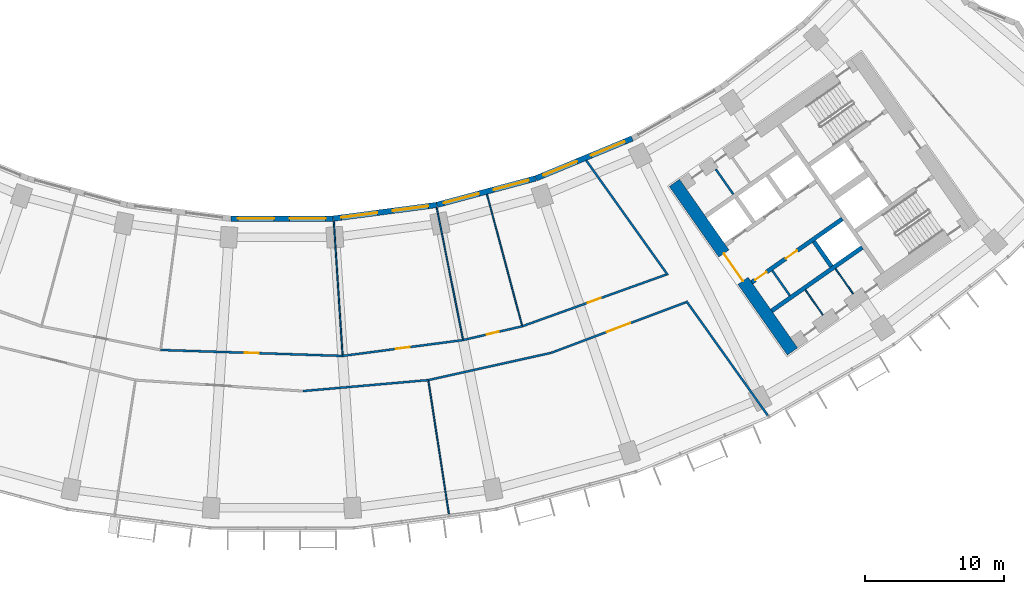
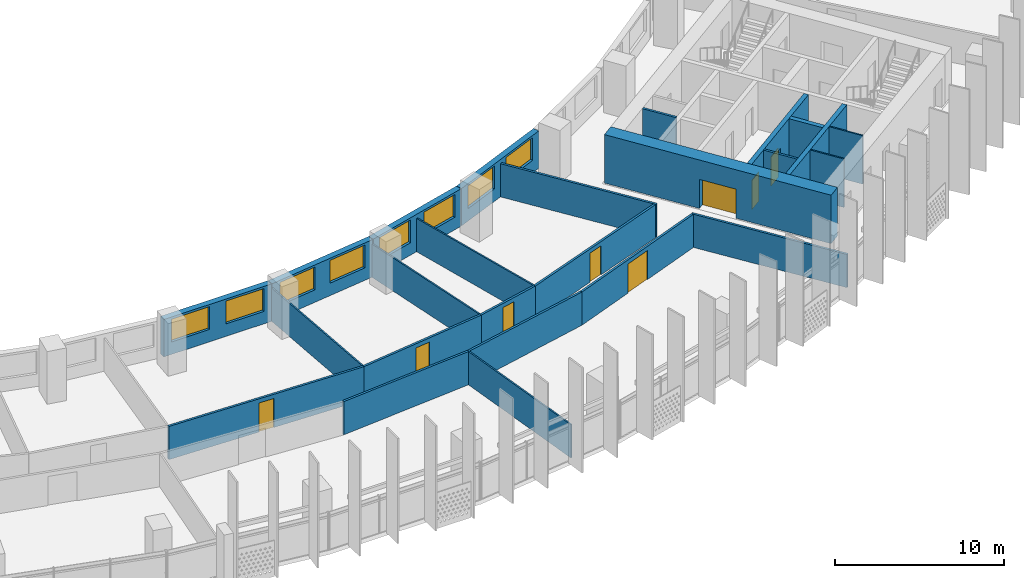
# One storey, part 6 of 30: 25 walls, 8 doors, 8 windows, 16 openings.
"""IFC4 building model written with IfcOpenShell, lengths in metres."""

from ifc_helpers import new_model, si_unit, direction, frame, frame_2d, origin, place, context, subcontext, project, spatial, rectangle, extrude, material, layer, layer_set, type_object, element, fill, save


model = new_model("IFC4")

# Units and contexts
model_context = context("Model", 3, precision=1e-05, world=origin(), true_north=direction((0.0, 1.0)))
body_context = subcontext(model_context, "Body", "Model", "MODEL_VIEW")
ifc_project = project(units=[si_unit("LENGTHUNIT", "METRE"), si_unit("AREAUNIT", "SQUARE_METRE"), si_unit("VOLUMEUNIT", "CUBIC_METRE"), si_unit("PLANEANGLEUNIT", "RADIAN"), si_unit("MASSUNIT", "GRAM", prefix="KILO")], contexts=[model_context])

# Site, building, storey
site_placement = place(None, origin())
site = spatial("IfcSite", under=ifc_project, at=site_placement, CompositionType="ELEMENT")
building_placement = place(site_placement, origin())
building = spatial("IfcBuilding", under=site, at=building_placement, Name="Qamariyya Broadcast Tower", CompositionType="ELEMENT")
storey_placement = place(building_placement, frame((0.0, 0.0, 102.5)))
storey = spatial("IfcBuildingStorey", under=building, at=storey_placement, Name="L22", CompositionType="ELEMENT", Elevation=102.5)

# Wall, opening, door
ifc_material_1 = material(Name="Concrete C70/85", Category="concrete")
ifc_layer_1 = layer(ifc_material_1, 0.89990234375)
ifc_layer_set_1 = layer_set([ifc_layer_1], Name="Core wall 900 mm Concrete C70/85")
wall_type_1 = type_object("IfcWallType", Name="Core wall 900 mm Concrete C70/85", PredefinedType="SHEAR", material=ifc_layer_set_1)
wall_1_placement = place(storey_placement, frame((36.716796875, -66.3369140625, 0.0), z_axis=(0.0, 0.0, 1.0), x_axis=(-0.573577477574, 0.819151315216, 0.0)))
wall_1 = element("IfcWall", 1, at=wall_1_placement, inside=storey, type_object=wall_type_1, Name="k-E-L22-WA", PredefinedType="SHEAR", context=body_context, shape_type="SweptSolid", body=[
    extrude(rectangle(XDim=14.800048828125, YDim=0.89990234375, at=frame_2d((7.39990234375, 0.0))), origin(), (0.0, 0.0, 1.0), 3.5),
])
opening_1_placement = place(wall_1_placement, frame((6.199951171875, 0.0, 0.0)))
opening_1 = element("IfcOpeningElement", 2, at=opening_1_placement, cuts=wall_1, Name="Opening KD3-E1", PredefinedType="OPENING", context=body_context, shape_type="SweptSolid", body=[
    extrude(rectangle(XDim=2.39990234375, YDim=2.10009765625, at=frame_2d((1.199951171875, 1.050048828125))), frame((0.0, 0.4599609375, 0.0), z_axis=(0.0, -1.0, 0.0), x_axis=(1.0, 0.0, 0.0)), (0.0, 0.0, 1.0), 0.919921875),
])
ifc_material_2 = material(Name="Steel fire-resisting door leaf", Category="steel")
door_type_1 = type_object("IfcDoorType", Name="Lift lobby door KD3", OperationType="DOUBLE_DOOR_SINGLE_SWING", PredefinedType="DOOR", material=ifc_material_2)
door_1_placement = place(opening_1_placement, origin())
door_1 = element("IfcDoor", 3, at=door_1_placement, inside=storey, type_object=door_type_1, Name="k-E-L22-WA-D1", OperationType="DOUBLE_DOOR_SINGLE_SWING", OverallHeight=2.10009765625, OverallWidth=2.39990234375, PredefinedType="DOOR", context=body_context, shape_type="SweptSolid", body=[
    extrude(rectangle(XDim=2.39990234375, YDim=2.10009765625, at=frame_2d((1.199951171875, 1.050048828125))), frame((0.0, 0.02490234375, 0.0), z_axis=(0.0, -1.0, 0.0), x_axis=(1.0, 0.0, 0.0)), (0.0, 0.0, 1.0), 0.050048828125),
])
fill(opening_1, door_1)

ifc_material_3 = material(Name="Gypsum board partition")
ifc_layer_2 = layer(ifc_material_3, 0.14990234375)
ifc_layer_set_2 = layer_set([ifc_layer_2], Name="Corridor partition 150 EI 60")
wall_type_2 = type_object("IfcWallType", Name="Corridor partition 150 EI 60", PredefinedType="PARTITIONING", material=ifc_layer_set_2)
wall_2_placement = place(storey_placement, frame((-8.71923828125, -66.228515625, 0.0), z_axis=(0.0, 0.0, 1.0), x_axis=(0.999464573422, -0.032719512141, 0.0)))
wall_2 = element("IfcWall", 4, at=wall_2_placement, inside=storey, type_object=wall_type_2, Name="Partition L22-012", PredefinedType="PARTITIONING", context=body_context, shape_type="SweptSolid", body=[
    extrude(rectangle(XDim=13.09521484375, YDim=0.14990234375, at=frame_2d((6.547607421875, 0.0))), origin(), (0.0, 0.0, 1.0), 2.39990234375),
])
opening_2_placement = place(wall_2_placement, frame((6.047607421875, 0.0, 0.0)))
opening_2 = element("IfcOpeningElement", 5, at=opening_2_placement, cuts=wall_2, Name="Opening L22-D07", PredefinedType="OPENING", context=body_context, shape_type="SweptSolid", body=[
    extrude(rectangle(XDim=1.0, YDim=2.10009765625, at=frame_2d((0.5, 1.050048828125))), frame((0.0, 0.0849609375, 0.0), z_axis=(0.0, -1.0, 0.0), x_axis=(1.0, 0.0, 0.0)), (0.0, 0.0, 1.0), 0.169921875),
])
ifc_material_4 = material(Name="Timber fire door leaf", Category="wood")
door_type_2 = type_object("IfcDoorType", Name="Fire door 1000 x 2100 FD60", OperationType="NOTDEFINED", PredefinedType="DOOR", material=ifc_material_4)
door_2_placement = place(opening_2_placement, origin())
door_2 = element("IfcDoor", 6, at=door_2_placement, inside=storey, type_object=door_type_2, Name="Door L22-D07", OperationType="SINGLE_SWING_RIGHT", OverallHeight=2.10009765625, OverallWidth=1.0, PredefinedType="DOOR", context=body_context, shape_type="SweptSolid", body=[
    extrude(rectangle(XDim=1.0, YDim=2.10009765625, at=frame_2d((0.5, 1.050048828125))), frame((0.0, 0.02490234375, 0.0), z_axis=(0.0, -1.0, 0.0), x_axis=(1.0, 0.0, 0.0)), (0.0, 0.0, 1.0), 0.050048828125),
])
fill(opening_2, door_2)

# Wall
wall_3_placement = place(storey_placement, frame((1.520263671875, -69.1826171875, 0.0), z_axis=(0.0, 0.0, 1.0), x_axis=(0.996192926233, 0.087175992813, 0.0)))
element("IfcWall", 7, at=wall_3_placement, inside=storey, type_object=wall_type_2, Name="Partition L22-014", PredefinedType="PARTITIONING", context=body_context, shape_type="SweptSolid", body=[
    extrude(rectangle(XDim=9.04296875, YDim=0.14990234375, at=frame_2d((4.521484375, 0.0))), origin(), (0.0, 0.0, 1.0), 2.39990234375),
])

# Wall, opening, door
wall_4_placement = place(storey_placement, frame((4.368896484375, -66.656982421875, 0.0), z_axis=(0.0, 0.0, 1.0), x_axis=(0.991443260322, 0.130538352841, 0.0)))
wall_4 = element("IfcWall", 8, at=wall_4_placement, inside=storey, type_object=wall_type_2, Name="Partition L22-016", PredefinedType="PARTITIONING", context=body_context, shape_type="SweptSolid", body=[
    extrude(rectangle(XDim=8.73779296875, YDim=0.14990234375, at=frame_2d((4.368896484375, 0.0))), origin(), (0.0, 0.0, 1.0), 2.39990234375),
])
opening_3_placement = place(wall_4_placement, frame((3.868896484375, 0.0, 0.0)))
opening_3 = element("IfcOpeningElement", 9, at=opening_3_placement, cuts=wall_4, Name="Opening L22-D08", PredefinedType="OPENING", context=body_context, shape_type="SweptSolid", body=[
    extrude(rectangle(XDim=1.0, YDim=2.10009765625, at=frame_2d((0.5, 1.050048828125))), frame((0.0, 0.0849609375, 0.0), z_axis=(0.0, -1.0, 0.0), x_axis=(1.0, 0.0, 0.0)), (0.0, 0.0, 1.0), 0.169921875),
])
door_3_placement = place(opening_3_placement, origin())
door_3 = element("IfcDoor", 10, at=door_3_placement, inside=storey, type_object=door_type_2, Name="Door L22-D08", OperationType="SINGLE_SWING_RIGHT", OverallHeight=2.10009765625, OverallWidth=1.0, PredefinedType="DOOR", context=body_context, shape_type="SweptSolid", body=[
    extrude(rectangle(XDim=1.0, YDim=2.10009765625, at=frame_2d((0.5, 1.050048828125))), frame((0.0, 0.02490234375, 0.0), z_axis=(0.0, -1.0, 0.0), x_axis=(1.0, 0.0, 0.0)), (0.0, 0.0, 1.0), 0.050048828125),
])
fill(opening_3, door_3)

# Wall
wall_5_placement = place(storey_placement, frame((10.52880859375, -68.394287109375, 0.0), z_axis=(0.0, 0.0, 1.0), x_axis=(0.97629238904, 0.216455933396, 0.0)))
element("IfcWall", 11, at=wall_5_placement, inside=storey, type_object=wall_type_2, Name="Partition L22-017", PredefinedType="PARTITIONING", context=body_context, shape_type="SweptSolid", body=[
    extrude(rectangle(XDim=9.04345703125, YDim=0.14990234375, at=frame_2d((4.521728515625, 0.0))), origin(), (0.0, 0.0, 1.0), 2.39990234375),
])

# Wall, opening, door
wall_6_placement = place(storey_placement, frame((13.031982421875, -65.516357421875, 0.0), z_axis=(0.0, 0.0, 1.0), x_axis=(0.973886095728, 0.227037161159, 0.0)))
wall_6 = element("IfcWall", 12, at=wall_6_placement, inside=storey, type_object=wall_type_2, Name="Partition L22-020", PredefinedType="PARTITIONING", context=body_context, shape_type="SweptSolid", body=[
    extrude(rectangle(XDim=4.371337890625, YDim=0.14990234375, at=frame_2d((2.185546875, 0.0))), origin(), (0.0, 0.0, 1.0), 2.39990234375),
])
opening_4_placement = place(wall_6_placement, frame((1.735595703125, 0.0, 0.0)))
opening_4 = element("IfcOpeningElement", 13, at=opening_4_placement, cuts=wall_6, Name="Opening L22-D09", PredefinedType="OPENING", context=body_context, shape_type="SweptSolid", body=[
    extrude(rectangle(XDim=0.89990234375, YDim=2.10009765625, at=frame_2d((0.449951171875, 1.050048828125))), frame((0.0, 0.0849609375, 0.0), z_axis=(0.0, -1.0, 0.0), x_axis=(1.0, 0.0, 0.0)), (0.0, 0.0, 1.0), 0.169921875),
])
door_type_3 = type_object("IfcDoorType", Name="Fire door 900 x 2100 FD60", OperationType="NOTDEFINED", PredefinedType="DOOR", material=ifc_material_4)
door_4_placement = place(opening_4_placement, origin())
door_4 = element("IfcDoor", 14, at=door_4_placement, inside=storey, type_object=door_type_3, Name="Door L22-D09", OperationType="SINGLE_SWING_RIGHT", OverallHeight=2.10009765625, OverallWidth=0.89990234375, PredefinedType="DOOR", context=body_context, shape_type="SweptSolid", body=[
    extrude(rectangle(XDim=0.89990234375, YDim=2.10009765625, at=frame_2d((0.449951171875, 1.050048828125))), frame((0.0, 0.02490234375, 0.0), z_axis=(0.0, -1.0, 0.0), x_axis=(1.0, 0.0, 0.0)), (0.0, 0.0, 1.0), 0.050048828125),
])
fill(opening_4, door_4)

wall_7_placement = place(storey_placement, frame((17.2890625, -64.52392578125, 0.0), z_axis=(0.0, 0.0, 1.0), x_axis=(0.941150861554, 0.337986768669, 0.0)))
wall_7 = element("IfcWall", 15, at=wall_7_placement, inside=storey, type_object=wall_type_2, Name="Partition L22-022", PredefinedType="PARTITIONING", context=body_context, shape_type="SweptSolid", body=[
    extrude(rectangle(XDim=10.998291015625, YDim=0.14990234375, at=frame_2d((5.4990234375, 0.0))), origin(), (0.0, 0.0, 1.0), 2.39990234375),
])
opening_5_placement = place(wall_7_placement, frame((4.9990234375, 0.0, 0.0)))
opening_5 = element("IfcOpeningElement", 16, at=opening_5_placement, cuts=wall_7, Name="Opening L22-D10", PredefinedType="OPENING", context=body_context, shape_type="SweptSolid", body=[
    extrude(rectangle(XDim=1.0, YDim=2.10009765625, at=frame_2d((0.5, 1.050048828125))), frame((0.0, 0.0849609375, 0.0), z_axis=(0.0, -1.0, 0.0), x_axis=(1.0, 0.0, 0.0)), (0.0, 0.0, 1.0), 0.169921875),
])
door_5_placement = place(opening_5_placement, origin())
door_5 = element("IfcDoor", 17, at=door_5_placement, inside=storey, type_object=door_type_2, Name="Door L22-D10", OperationType="SINGLE_SWING_RIGHT", OverallHeight=2.10009765625, OverallWidth=1.0, PredefinedType="DOOR", context=body_context, shape_type="SweptSolid", body=[
    extrude(rectangle(XDim=1.0, YDim=2.10009765625, at=frame_2d((0.5, 1.050048828125))), frame((0.0, 0.02490234375, 0.0), z_axis=(0.0, -1.0, 0.0), x_axis=(1.0, 0.0, 0.0)), (0.0, 0.0, 1.0), 0.050048828125),
])
fill(opening_5, door_5)

wall_8_placement = place(storey_placement, frame((29.057373046875, -62.797607421875, 0.0), z_axis=(0.0, 0.0, 1.0), x_axis=(-0.936236021316, -0.351371758101, 0.0)))
wall_8 = element("IfcWall", 18, at=wall_8_placement, inside=storey, type_object=wall_type_2, Name="Partition L22-023", PredefinedType="PARTITIONING", context=body_context, shape_type="SweptSolid", body=[
    extrude(rectangle(XDim=10.343017578125, YDim=0.14990234375, at=frame_2d((5.17138671875, 0.0))), origin(), (0.0, 0.0, 1.0), 2.39990234375),
])
opening_6_placement = place(wall_8_placement, frame((4.271484375, 0.0, 0.0)))
opening_6 = element("IfcOpeningElement", 19, at=opening_6_placement, cuts=wall_8, Name="Opening L22-D04", PredefinedType="OPENING", context=body_context, shape_type="SweptSolid", body=[
    extrude(rectangle(XDim=1.800048828125, YDim=2.10009765625, at=frame_2d((0.89990234375, 1.050048828125))), frame((0.0, 0.0849609375, 0.0), z_axis=(0.0, -1.0, 0.0), x_axis=(1.0, 0.0, 0.0)), (0.0, 0.0, 1.0), 0.169921875),
])
door_type_4 = type_object("IfcDoorType", Name="Double fire door 1800 x 2100 FD60", OperationType="NOTDEFINED", PredefinedType="DOOR", material=ifc_material_4)
door_6_placement = place(opening_6_placement, origin())
door_6 = element("IfcDoor", 20, at=door_6_placement, inside=storey, type_object=door_type_4, Name="Door L22-D04", OperationType="DOUBLE_DOOR_SINGLE_SWING", OverallHeight=2.10009765625, OverallWidth=1.800048828125, PredefinedType="DOOR", context=body_context, shape_type="SweptSolid", body=[
    extrude(rectangle(XDim=1.800048828125, YDim=2.10009765625, at=frame_2d((0.89990234375, 1.050048828125))), frame((0.0, 0.02490234375, 0.0), z_axis=(0.0, -1.0, 0.0), x_axis=(1.0, 0.0, 0.0)), (0.0, 0.0, 1.0), 0.050048828125),
])
fill(opening_6, door_6)

# Walls
wall_9_placement = place(storey_placement, frame((21.8837890625, -52.59765625, 0.0), z_axis=(0.0, 0.0, 1.0), x_axis=(0.580016763963, -0.814604538118, 0.0)))
element("IfcWall", 21, at=wall_9_placement, inside=storey, type_object=wall_type_2, Name="Partition L22-024", PredefinedType="PARTITIONING", context=body_context, shape_type="SweptSolid", body=[
    extrude(rectangle(XDim=10.12109375, YDim=0.14990234375, at=frame_2d((5.060546875, 0.0))), origin(), (0.0, 0.0, 1.0), 2.39990234375),
])
wall_10_placement = place(storey_placement, frame((29.083984375, -62.710205078125, 0.0), z_axis=(0.0, 0.0, 1.0), x_axis=(0.580031092611, -0.814594335608, 0.0)))
element("IfcWall", 22, at=wall_10_placement, inside=storey, type_object=wall_type_2, Name="Partition L22-025", PredefinedType="PARTITIONING", context=body_context, shape_type="SweptSolid", body=[
    extrude(rectangle(XDim=10.126220703125, YDim=0.14990234375, at=frame_2d((5.06298828125, 0.0))), origin(), (0.0, 0.0, 1.0), 2.39990234375),
])
ifc_material_5 = material(Name="Gypsum board partition on steel studs", Category="steel")
ifc_layer_3 = layer(ifc_material_5, 0.14990234375)
ifc_layer_set_3 = layer_set([ifc_layer_3], Name="Gypsum board partition 150 mm")
wall_type_3 = type_object("IfcWallType", Name="Gypsum board partition 150 mm", PredefinedType="PARTITIONING", material=ifc_layer_set_3)
wall_11_placement = place(storey_placement, frame((35.26611328125, -60.5166015625, 0.0), z_axis=(0.0, 0.0, 1.0), x_axis=(0.573559170999, -0.819164133348, 0.0)))
element("IfcWall", 23, at=wall_11_placement, inside=storey, type_object=wall_type_3, Name="k-E-L22-SC170", PredefinedType="PARTITIONING", context=body_context, shape_type="SweptSolid", body=[
    extrude(rectangle(XDim=2.19970703125, YDim=0.14990234375, at=frame_2d((1.099853515625, 0.0))), origin(), (0.0, 0.0, 1.0), 3.5),
])
wall_12_placement = place(storey_placement, frame((32.46337890625, -55.0322265625, 0.0), z_axis=(0.0, 0.0, 1.0), x_axis=(-0.573507030513, 0.819200638399, 0.0)))
element("IfcWall", 24, at=wall_12_placement, inside=storey, type_object=wall_type_3, Name="k-E-L22-NP255", PredefinedType="PARTITIONING", context=body_context, shape_type="SweptSolid", body=[
    extrude(rectangle(XDim=2.199951171875, YDim=0.14990234375, at=frame_2d((1.10009765625, 0.0))), origin(), (0.0, 0.0, 1.0), 3.5),
])

# Wall, openings, doors
ifc_material_6 = material(Name="Concrete C60/75", Category="concrete")
ifc_layer_4 = layer(ifc_material_6, 0.300048828125)
ifc_layer_set_4 = layer_set([ifc_layer_4], Name="Lift shaft wall 300 mm Concrete C60/75")
wall_type_4 = type_object("IfcWallType", Name="Lift shaft wall 300 mm Concrete C60/75", PredefinedType="SOLIDWALL", material=ifc_layer_set_4)
wall_13_placement = place(storey_placement, frame((33.787353515625, -61.368896484375, 0.0), z_axis=(0.0, 0.0, 1.0), x_axis=(0.819152564888, 0.573575692858, 0.0)))
wall_13 = element("IfcWall", 25, at=wall_13_placement, inside=storey, type_object=wall_type_4, Name="k-E-L22-SF0", PredefinedType="SOLIDWALL", context=body_context, shape_type="SweptSolid", body=[
    extrude(rectangle(XDim=7.9501953125, YDim=0.300048828125, at=frame_2d((3.97509765625, 0.0))), origin(), (0.0, 0.0, 1.0), 3.5),
])
opening_7_placement = place(wall_13_placement, frame((0.3125, 0.0, 0.0)))
opening_7 = element("IfcOpeningElement", 26, at=opening_7_placement, cuts=wall_13, Name="Opening KD4-E1", PredefinedType="OPENING", context=body_context, shape_type="SweptSolid", body=[
    extrude(rectangle(XDim=1.0, YDim=2.10009765625, at=frame_2d((0.5, 1.050048828125))), frame((0.0, 0.159912109375, 0.0), z_axis=(0.0, -1.0, 0.0), x_axis=(1.0, 0.0, 0.0)), (0.0, 0.0, 1.0), 0.320068359375),
])
opening_8_placement = place(wall_13_placement, frame((2.987548828125, 0.0, 0.0)))
opening_8 = element("IfcOpeningElement", 27, at=opening_8_placement, cuts=wall_13, Name="Opening KD6-E1", PredefinedType="OPENING", context=body_context, shape_type="SweptSolid", body=[
    extrude(rectangle(XDim=1.0, YDim=2.10009765625, at=frame_2d((0.5, 1.050048828125))), frame((0.0, 0.159912109375, 0.0), z_axis=(0.0, -1.0, 0.0), x_axis=(1.0, 0.0, 0.0)), (0.0, 0.0, 1.0), 0.320068359375),
])
door_type_5 = type_object("IfcDoorType", Name="Core room door KD6", OperationType="SINGLE_SWING_LEFT", PredefinedType="DOOR", material=ifc_material_2)
door_7_placement = place(opening_8_placement, origin())
door_7 = element("IfcDoor", 28, at=door_7_placement, inside=storey, type_object=door_type_5, Name="k-E-L22-SF0-D6", OperationType="SINGLE_SWING_RIGHT", OverallHeight=2.10009765625, OverallWidth=1.0, PredefinedType="DOOR", context=body_context, shape_type="SweptSolid", body=[
    extrude(rectangle(XDim=1.0, YDim=2.10009765625, at=frame_2d((0.5, 1.050048828125))), frame((0.0, 0.02490234375, 0.0), z_axis=(0.0, -1.0, 0.0), x_axis=(1.0, 0.0, 0.0)), (0.0, 0.0, 1.0), 0.050048828125),
])
fill(opening_8, door_7)
door_type_6 = type_object("IfcDoorType", Name="Riser and plant door KD4", OperationType="SINGLE_SWING_LEFT", PredefinedType="DOOR", material=ifc_material_2)
door_8_placement = place(opening_7_placement, origin())
door_8 = element("IfcDoor", 29, at=door_8_placement, inside=storey, type_object=door_type_6, Name="k-E-L22-SF0-D5", OperationType="SINGLE_SWING_LEFT", OverallHeight=2.10009765625, OverallWidth=1.0, PredefinedType="DOOR", context=body_context, shape_type="SweptSolid", body=[
    extrude(rectangle(XDim=1.0, YDim=2.10009765625, at=frame_2d((0.5, 1.050048828125))), frame((0.0, 0.02490234375, 0.0), z_axis=(0.0, -1.0, 0.0), x_axis=(1.0, 0.0, 0.0)), (0.0, 0.0, 1.0), 0.050048828125),
])
fill(opening_7, door_8)

# Walls
wall_14_placement = place(storey_placement, frame((35.22119140625, -63.41650390625, 0.0), z_axis=(0.0, 0.0, 1.0), x_axis=(0.819166993208, 0.573555086491, 0.0)))
element("IfcWall", 30, at=wall_14_placement, inside=storey, type_object=wall_type_4, Name="k-E-L22-SB0", PredefinedType="SOLIDWALL", context=body_context, shape_type="SweptSolid", body=[
    extrude(rectangle(XDim=7.9501953125, YDim=0.300048828125, at=frame_2d((3.97509765625, 0.0))), origin(), (0.0, 0.0, 1.0), 3.5),
])
wall_15_placement = place(storey_placement, frame((38.255859375, -58.423095703125, 0.0), z_axis=(0.0, 0.0, 1.0), x_axis=(0.573633636671, -0.819111989218, 0.0)))
element("IfcWall", 31, at=wall_15_placement, inside=storey, type_object=wall_type_4, Name="k-E-L22-SD1", PredefinedType="SOLIDWALL", context=body_context, shape_type="SweptSolid", body=[
    extrude(rectangle(XDim=2.199951171875, YDim=0.300048828125, at=frame_2d((1.10009765625, 0.0))), origin(), (0.0, 0.0, 1.0), 3.5),
])
ifc_layer_5 = layer(ifc_material_3, 0.10009765625)
ifc_layer_set_5 = layer_set([ifc_layer_5], Name="Partition 100")
wall_type_5 = type_object("IfcWallType", Name="Partition 100", PredefinedType="PARTITIONING", material=ifc_layer_set_5)
for number, where, z_axis, x_axis, name in (
    (32, (3.734619140625, -56.977783203125, 0.0), (0.0, 0.0, 1.0), (0.065392665599, -0.997859609006, 0.0), "Partition L22-015"),
    (33, (11.1396484375, -56.0029296875, 0.0), (0.0, 0.0, 1.0), (0.195086769421, -0.980785987052, 0.0), "Partition L22-018"),
):
    element("IfcWall", number, at=place(storey_placement, frame(where, z_axis=z_axis, x_axis=x_axis)), inside=storey, type_object=wall_type_5, Name=name, PredefinedType="PARTITIONING", context=body_context, shape_type="SweptSolid", body=[
        extrude(rectangle(XDim=9.624755859375, YDim=0.10009765625, at=frame_2d((4.8125, 0.0))), origin(), (0.0, 0.0, 1.0), 2.39990234375),
    ])
wall_16_placement = place(storey_placement, frame((12.01220703125, -78.030029296875, 0.0), z_axis=(0.0, 0.0, 1.0), x_axis=(-0.152150105958, 0.988357397532, 0.0)))
element("IfcWall", 34, at=wall_16_placement, inside=storey, type_object=wall_type_5, Name="Partition L22-019", PredefinedType="PARTITIONING", context=body_context, shape_type="SweptSolid", body=[
    extrude(rectangle(XDim=9.674072265625, YDim=0.10009765625, at=frame_2d((4.8369140625, 0.0))), origin(), (0.0, 0.0, 1.0), 2.39990234375),
])
wall_17_placement = place(storey_placement, frame((14.7470703125, -55.037109375, 0.0), z_axis=(0.0, 0.0, 1.0), x_axis=(0.258833329344, -0.965921998725, 0.0)))
element("IfcWall", 35, at=wall_17_placement, inside=storey, type_object=wall_type_5, Name="Partition L22-021", PredefinedType="PARTITIONING", context=body_context, shape_type="SweptSolid", body=[
    extrude(rectangle(XDim=9.746337890625, YDim=0.10009765625, at=frame_2d((4.873046875, 0.0))), origin(), (0.0, 0.0, 1.0), 2.39990234375),
])
ifc_material_7 = material(Name="Fire-rated gypsum shaft liner on steel studs", Category="steel")
ifc_layer_6 = layer(ifc_material_7, 0.10009765625)
ifc_layer_set_6 = layer_set([ifc_layer_6], Name="Riser wall 100 mm")
wall_type_6 = type_object("IfcWallType", Name="Riser wall 100 mm", PredefinedType="PLUMBINGWALL", material=ifc_layer_set_6)
wall_18_placement = place(storey_placement, frame((37.64208984375, -61.90478515625, 0.0), z_axis=(0.0, 0.0, 1.0), x_axis=(0.573507030513, -0.819200638399, 0.0)))
element("IfcWall", 36, at=wall_18_placement, inside=storey, type_object=wall_type_6, Name="k-E-L22-SP285", PredefinedType="PLUMBINGWALL", context=body_context, shape_type="SweptSolid", body=[
    extrude(rectangle(XDim=2.199951171875, YDim=0.10009765625, at=frame_2d((1.10009765625, 0.0))), origin(), (0.0, 0.0, 1.0), 3.5),
])
wall_19_placement = place(storey_placement, frame((39.812744140625, -60.384765625, 0.0), z_axis=(0.0, 0.0, 1.0), x_axis=(0.573581496053, -0.819148501424, 0.0)))
element("IfcWall", 37, at=wall_19_placement, inside=storey, type_object=wall_type_6, Name="k-E-L22-SP550", PredefinedType="PLUMBINGWALL", context=body_context, shape_type="SweptSolid", body=[
    extrude(rectangle(XDim=2.2001953125, YDim=0.10009765625, at=frame_2d((1.10009765625, 0.0))), origin(), (0.0, 0.0, 1.0), 3.5),
])

# Wall, openings, windows
ifc_material_8 = material(Name="Terracotta", Category="masonry")
ifc_layer_7 = layer(ifc_material_8, 0.39990234375)
ifc_layer_set_7 = layer_set([ifc_layer_7], Name="Terracotta clad wall 400")
wall_type_7 = type_object("IfcWallType", Name="Terracotta clad wall 400", PredefinedType="SOLIDWALL", material=ifc_layer_set_7)
wall_20_placement = place(storey_placement, frame((11.12548828125, -55.803955078125, 0.0), z_axis=(0.0, 0.0, 1.0), x_axis=(-0.991444533306, -0.130528684121, 0.0)))
wall_20 = element("IfcWall", 38, at=wall_20_placement, inside=storey, type_object=wall_type_7, Name="e-wl-L22-in100", PredefinedType="SOLIDWALL", context=body_context, shape_type="SweptSolid", body=[
    extrude(rectangle(XDim=7.492919921875, YDim=0.39990234375, at=frame_2d((3.74658203125, 0.0))), origin(), (0.0, 0.0, 1.0), 2.699951171875),
])
opening_9_placement = place(wall_20_placement, frame((4.300537109375, 0.0, 0.89990234375)))
opening_9 = element("IfcOpeningElement", 39, at=opening_9_placement, cuts=wall_20, Name="Opening W1", PredefinedType="OPENING", context=body_context, shape_type="SweptSolid", body=[
    extrude(rectangle(XDim=2.60009765625, YDim=1.64990234375, at=frame_2d((1.300048828125, 0.824951171875))), frame((0.0, 0.2099609375, 0.0), z_axis=(0.0, -1.0, 0.0), x_axis=(1.0, 0.0, 0.0)), (0.0, 0.0, 1.0), 0.419921875),
])
opening_10_placement = place(wall_20_placement, frame((0.59228515625, 0.0, 0.89990234375)))
opening_10 = element("IfcOpeningElement", 40, at=opening_10_placement, cuts=wall_20, Name="Opening W1", PredefinedType="OPENING", context=body_context, shape_type="SweptSolid", body=[
    extrude(rectangle(XDim=2.60009765625, YDim=1.64990234375, at=frame_2d((1.300048828125, 0.824951171875))), frame((0.0, 0.2099609375, 0.0), z_axis=(0.0, -1.0, 0.0), x_axis=(1.0, 0.0, 0.0)), (0.0, 0.0, 1.0), 0.419921875),
])
ifc_material_9 = material(Name="Clear low-e double glazed unit in aluminium frame", Category="aluminium")
window_type = type_object("IfcWindowType", Name="Ribbon window 2600 x 1650", PartitioningType="SINGLE_PANEL", PredefinedType="WINDOW", material=ifc_material_9)
window_1_placement = place(opening_9_placement, origin())
window_1 = element("IfcWindow", 41, at=window_1_placement, inside=storey, type_object=window_type, Name="e-w-L22-in10-0", OverallHeight=1.64990234375, OverallWidth=2.60009765625, PartitioningType="SINGLE_PANEL", PredefinedType="WINDOW", context=body_context, shape_type="SweptSolid", body=[
    extrude(rectangle(XDim=2.60009765625, YDim=1.64990234375, at=frame_2d((1.300048828125, 0.824951171875))), frame((0.0, 0.030029296875, 0.0), z_axis=(0.0, -1.0, 0.0), x_axis=(1.0, 0.0, 0.0)), (0.0, 0.0, 1.0), 0.06005859375),
])
fill(opening_9, window_1)
window_2_placement = place(opening_10_placement, origin())
window_2 = element("IfcWindow", 42, at=window_2_placement, inside=storey, type_object=window_type, Name="e-w-L22-in10-1", OverallHeight=1.64990234375, OverallWidth=2.60009765625, PartitioningType="SINGLE_PANEL", PredefinedType="WINDOW", context=body_context, shape_type="SweptSolid", body=[
    extrude(rectangle(XDim=2.60009765625, YDim=1.64990234375, at=frame_2d((1.300048828125, 0.824951171875))), frame((0.0, 0.030029296875, 0.0), z_axis=(0.0, -1.0, 0.0), x_axis=(1.0, 0.0, 0.0)), (0.0, 0.0, 1.0), 0.06005859375),
])
fill(opening_10, window_2)

wall_21_placement = place(storey_placement, frame((18.240966796875, -53.893798828125, 0.0), z_axis=(0.0, 0.0, 1.0), x_axis=(-0.965924597867, -0.258823629594, 0.0)))
wall_21 = element("IfcWall", 43, at=wall_21_placement, inside=storey, type_object=wall_type_7, Name="e-wl-L22-in110", PredefinedType="SOLIDWALL", context=body_context, shape_type="SweptSolid", body=[
    extrude(rectangle(XDim=7.341552734375, YDim=0.39990234375, at=frame_2d((3.6708984375, 0.0))), origin(), (0.0, 0.0, 1.0), 2.699951171875),
])
opening_11_placement = place(wall_21_placement, frame((4.224853515625, 0.0, 0.89990234375)))
opening_11 = element("IfcOpeningElement", 44, at=opening_11_placement, cuts=wall_21, Name="Opening W1", PredefinedType="OPENING", context=body_context, shape_type="SweptSolid", body=[
    extrude(rectangle(XDim=2.60009765625, YDim=1.64990234375, at=frame_2d((1.300048828125, 0.824951171875))), frame((0.0, 0.2099609375, 0.0), z_axis=(0.0, -1.0, 0.0), x_axis=(1.0, 0.0, 0.0)), (0.0, 0.0, 1.0), 0.419921875),
])
opening_12_placement = place(wall_21_placement, frame((0.5166015625, 0.0, 0.89990234375)))
opening_12 = element("IfcOpeningElement", 45, at=opening_12_placement, cuts=wall_21, Name="Opening W1", PredefinedType="OPENING", context=body_context, shape_type="SweptSolid", body=[
    extrude(rectangle(XDim=2.60009765625, YDim=1.64990234375, at=frame_2d((1.300048828125, 0.824951171875))), frame((0.0, 0.2099609375, 0.0), z_axis=(0.0, -1.0, 0.0), x_axis=(1.0, 0.0, 0.0)), (0.0, 0.0, 1.0), 0.419921875),
])
window_3_placement = place(opening_11_placement, origin())
window_3 = element("IfcWindow", 46, at=window_3_placement, inside=storey, type_object=window_type, Name="e-w-L22-in11-0", OverallHeight=1.64990234375, OverallWidth=2.60009765625, PartitioningType="SINGLE_PANEL", PredefinedType="WINDOW", context=body_context, shape_type="SweptSolid", body=[
    extrude(rectangle(XDim=2.60009765625, YDim=1.64990234375, at=frame_2d((1.300048828125, 0.824951171875))), frame((0.0, 0.030029296875, 0.0), z_axis=(0.0, -1.0, 0.0), x_axis=(1.0, 0.0, 0.0)), (0.0, 0.0, 1.0), 0.06005859375),
])
fill(opening_11, window_3)
window_4_placement = place(opening_12_placement, origin())
window_4 = element("IfcWindow", 47, at=window_4_placement, inside=storey, type_object=window_type, Name="e-w-L22-in11-1", OverallHeight=1.64990234375, OverallWidth=2.60009765625, PartitioningType="SINGLE_PANEL", PredefinedType="WINDOW", context=body_context, shape_type="SweptSolid", body=[
    extrude(rectangle(XDim=2.60009765625, YDim=1.64990234375, at=frame_2d((1.300048828125, 0.824951171875))), frame((0.0, 0.030029296875, 0.0), z_axis=(0.0, -1.0, 0.0), x_axis=(1.0, 0.0, 0.0)), (0.0, 0.0, 1.0), 0.06005859375),
])
fill(opening_12, window_4)

wall_22_placement = place(storey_placement, frame((25.189453125, -51.02294921875, 0.0), z_axis=(0.0, 0.0, 1.0), x_axis=(-0.923879826967, -0.382682721486, 0.0)))
wall_22 = element("IfcWall", 48, at=wall_22_placement, inside=storey, type_object=wall_type_7, Name="e-wl-L22-in120", PredefinedType="SOLIDWALL", context=body_context, shape_type="SweptSolid", body=[
    extrude(rectangle(XDim=7.492919921875, YDim=0.39990234375, at=frame_2d((3.74658203125, 0.0))), origin(), (0.0, 0.0, 1.0), 2.699951171875),
])
opening_13_placement = place(wall_22_placement, frame((4.300537109375, 0.0, 0.89990234375)))
opening_13 = element("IfcOpeningElement", 49, at=opening_13_placement, cuts=wall_22, Name="Opening W1", PredefinedType="OPENING", context=body_context, shape_type="SweptSolid", body=[
    extrude(rectangle(XDim=2.60009765625, YDim=1.64990234375, at=frame_2d((1.300048828125, 0.824951171875))), frame((0.0, 0.2099609375, 0.0), z_axis=(0.0, -1.0, 0.0), x_axis=(1.0, 0.0, 0.0)), (0.0, 0.0, 1.0), 0.419921875),
])
opening_14_placement = place(wall_22_placement, frame((0.59228515625, 0.0, 0.89990234375)))
opening_14 = element("IfcOpeningElement", 50, at=opening_14_placement, cuts=wall_22, Name="Opening W1", PredefinedType="OPENING", context=body_context, shape_type="SweptSolid", body=[
    extrude(rectangle(XDim=2.60009765625, YDim=1.64990234375, at=frame_2d((1.300048828125, 0.824951171875))), frame((0.0, 0.2099609375, 0.0), z_axis=(0.0, -1.0, 0.0), x_axis=(1.0, 0.0, 0.0)), (0.0, 0.0, 1.0), 0.419921875),
])
window_5_placement = place(opening_13_placement, origin())
window_5 = element("IfcWindow", 51, at=window_5_placement, inside=storey, type_object=window_type, Name="e-w-L22-in12-0", OverallHeight=1.64990234375, OverallWidth=2.60009765625, PartitioningType="SINGLE_PANEL", PredefinedType="WINDOW", context=body_context, shape_type="SweptSolid", body=[
    extrude(rectangle(XDim=2.60009765625, YDim=1.64990234375, at=frame_2d((1.300048828125, 0.824951171875))), frame((0.0, 0.030029296875, 0.0), z_axis=(0.0, -1.0, 0.0), x_axis=(1.0, 0.0, 0.0)), (0.0, 0.0, 1.0), 0.06005859375),
])
fill(opening_13, window_5)
window_6_placement = place(opening_14_placement, origin())
window_6 = element("IfcWindow", 52, at=window_6_placement, inside=storey, type_object=window_type, Name="e-w-L22-in12-1", OverallHeight=1.64990234375, OverallWidth=2.60009765625, PartitioningType="SINGLE_PANEL", PredefinedType="WINDOW", context=body_context, shape_type="SweptSolid", body=[
    extrude(rectangle(XDim=2.60009765625, YDim=1.64990234375, at=frame_2d((1.300048828125, 0.824951171875))), frame((0.0, 0.030029296875, 0.0), z_axis=(0.0, -1.0, 0.0), x_axis=(1.0, 0.0, 0.0)), (0.0, 0.0, 1.0), 0.06005859375),
])
fill(opening_14, window_6)

wall_23_placement = place(storey_placement, frame((3.670654296875, -56.778564453125, 0.0), z_axis=(0.0, 0.0, 1.0), x_axis=(-1.0, 0.0, 0.0)))
wall_23 = element("IfcWall", 53, at=wall_23_placement, inside=storey, type_object=wall_type_7, Name="e-wl-L22-in90", PredefinedType="SOLIDWALL", context=body_context, shape_type="SweptSolid", body=[
    extrude(rectangle(XDim=7.34130859375, YDim=0.39990234375, at=frame_2d((3.670654296875, 0.0))), origin(), (0.0, 0.0, 1.0), 2.699951171875),
])
opening_15_placement = place(wall_23_placement, frame((4.224853515625, 0.0, 0.89990234375)))
opening_15 = element("IfcOpeningElement", 54, at=opening_15_placement, cuts=wall_23, Name="Opening W1", PredefinedType="OPENING", context=body_context, shape_type="SweptSolid", body=[
    extrude(rectangle(XDim=2.60009765625, YDim=1.64990234375, at=frame_2d((1.300048828125, 0.824951171875))), frame((0.0, 0.2099609375, 0.0), z_axis=(0.0, -1.0, 0.0), x_axis=(1.0, 0.0, 0.0)), (0.0, 0.0, 1.0), 0.419921875),
])
opening_16_placement = place(wall_23_placement, frame((0.5166015625, 0.0, 0.89990234375)))
opening_16 = element("IfcOpeningElement", 55, at=opening_16_placement, cuts=wall_23, Name="Opening W1", PredefinedType="OPENING", context=body_context, shape_type="SweptSolid", body=[
    extrude(rectangle(XDim=2.60009765625, YDim=1.64990234375, at=frame_2d((1.300048828125, 0.824951171875))), frame((0.0, 0.2099609375, 0.0), z_axis=(0.0, -1.0, 0.0), x_axis=(1.0, 0.0, 0.0)), (0.0, 0.0, 1.0), 0.419921875),
])
window_7_placement = place(opening_15_placement, origin())
window_7 = element("IfcWindow", 56, at=window_7_placement, inside=storey, type_object=window_type, Name="e-w-L22-in09-0", OverallHeight=1.64990234375, OverallWidth=2.60009765625, PartitioningType="SINGLE_PANEL", PredefinedType="WINDOW", context=body_context, shape_type="SweptSolid", body=[
    extrude(rectangle(XDim=2.60009765625, YDim=1.64990234375, at=frame_2d((1.300048828125, 0.824951171875))), frame((0.0, 0.030029296875, 0.0), z_axis=(0.0, -1.0, 0.0), x_axis=(1.0, 0.0, 0.0)), (0.0, 0.0, 1.0), 0.06005859375),
])
fill(opening_15, window_7)
window_8_placement = place(opening_16_placement, origin())
window_8 = element("IfcWindow", 57, at=window_8_placement, inside=storey, type_object=window_type, Name="e-w-L22-in09-1", OverallHeight=1.64990234375, OverallWidth=2.60009765625, PartitioningType="SINGLE_PANEL", PredefinedType="WINDOW", context=body_context, shape_type="SweptSolid", body=[
    extrude(rectangle(XDim=2.60009765625, YDim=1.64990234375, at=frame_2d((1.300048828125, 0.824951171875))), frame((0.0, 0.030029296875, 0.0), z_axis=(0.0, -1.0, 0.0), x_axis=(1.0, 0.0, 0.0)), (0.0, 0.0, 1.0), 0.06005859375),
])
fill(opening_16, window_8)

save(model, "model.ifc")
